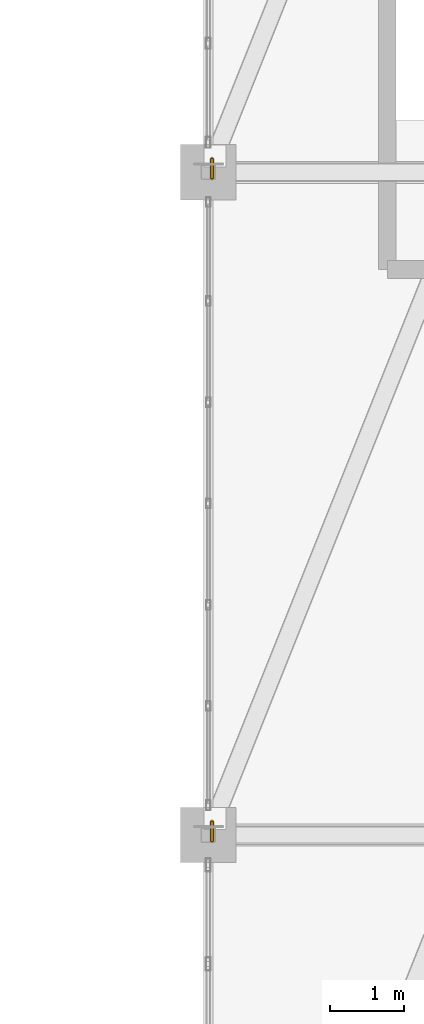
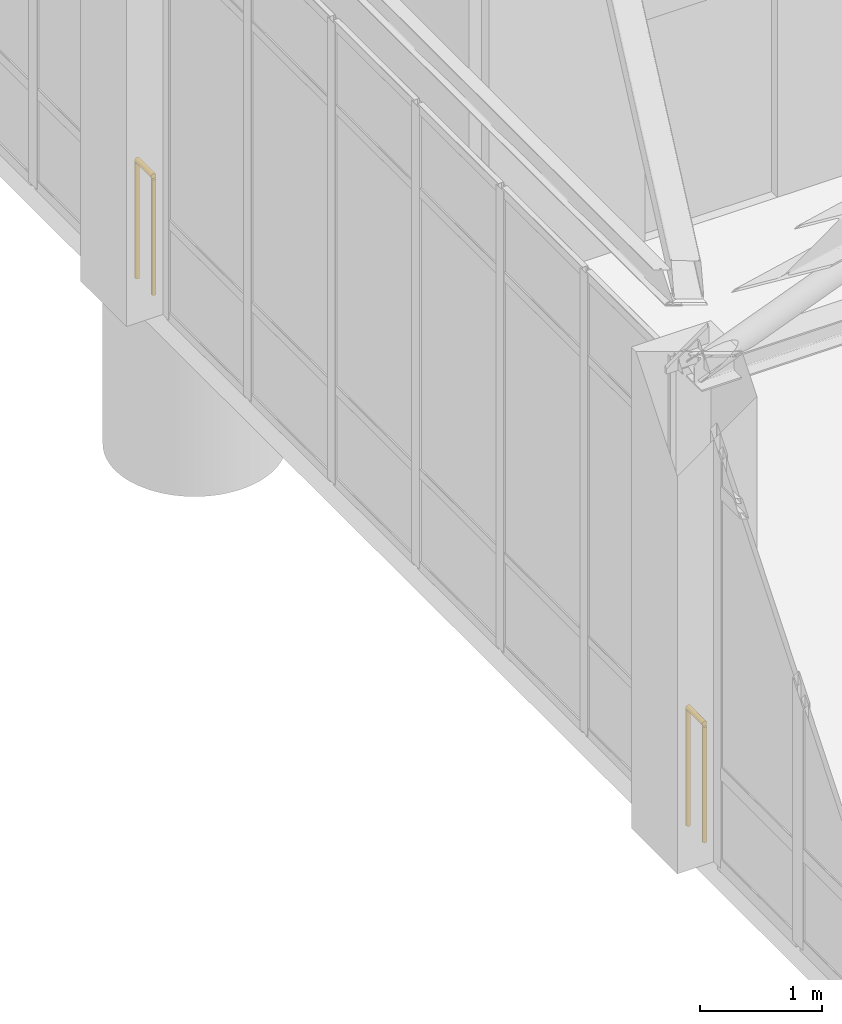
# One storey, part 124 of 139: 2 railings.
"""IFC4 building model written with IfcOpenShell, lengths in metres."""

from ifc_helpers import new_model, si_unit, direction, frame, origin, origin_2d, place, context, subcontext, project, spatial, circle, extrude, material, type_object, element, save


model = new_model("IFC4")

# Units and contexts
model_context = context("Model", 3, precision=1e-05, world=origin(), true_north=direction((0.0, 1.0)))
body_context = subcontext(model_context, "Body", "Model", "MODEL_VIEW")
ifc_project = project(units=[si_unit("LENGTHUNIT", "METRE"), si_unit("AREAUNIT", "SQUARE_METRE"), si_unit("VOLUMEUNIT", "CUBIC_METRE"), si_unit("PLANEANGLEUNIT", "RADIAN"), si_unit("MASSUNIT", "GRAM", prefix="KILO")], contexts=[model_context])

# Site, building, storey
site_placement = place(None, origin())
site = spatial("IfcSite", under=ifc_project, at=site_placement, CompositionType="ELEMENT")
building_placement = place(site_placement, origin())
building = spatial("IfcBuilding", under=site, at=building_placement, Name="Canglan Escarpment Cableway Terminal", CompositionType="ELEMENT")
storey_placement = place(building_placement, frame((0.0, 0.0, 14.39990234375)))
storey = spatial("IfcBuildingStorey", under=building, at=storey_placement, Name="L03", CompositionType="ELEMENT", Elevation=14.39990234375)

# Railings
ifc_material = material(Name="Carved limestone and anodized bronze balustrade", Category="masonry")
railing_type = type_object("IfcRailingType", Name="RL-EXT-BALUSTRADE-1200", PredefinedType="BALUSTRADE", material=ifc_material)
for number, where, name in (
    (1, (115.14990234375, 60.9150390625, 0.0), "Classical terrace balustrade guard GD-01 (L03)"),
    (2, (115.14990234375, 69.9150390625, 0.0), "Classical terrace balustrade guard GD-01 (L03)"),
):
    element("IfcRailing", number, at=place(storey_placement, frame(where)), inside=storey, type_object=railing_type, Name=name, PredefinedType="BALUSTRADE", context=body_context, shape_type="SweptSolid", body=[
        extrude(circle(Radius=0.02392578125, at=origin_2d()), frame((0.0, 0.0, 1.17578125), z_axis=(0.0, 1.0, 0.0), x_axis=(-1.0, 0.0, 0.0)), (0.0, 0.0, 1.0), 0.27001953125),
        extrude(circle(Radius=0.02099609375, at=origin_2d()), origin(), (0.0, 0.0, 1.0), 1.15185546875),
        extrude(circle(Radius=0.02099609375, at=origin_2d()), frame((0.0, 0.27001953125, 0.0)), (0.0, 0.0, 1.0), 1.15185546875),
    ])

save(model, "model.ifc")
